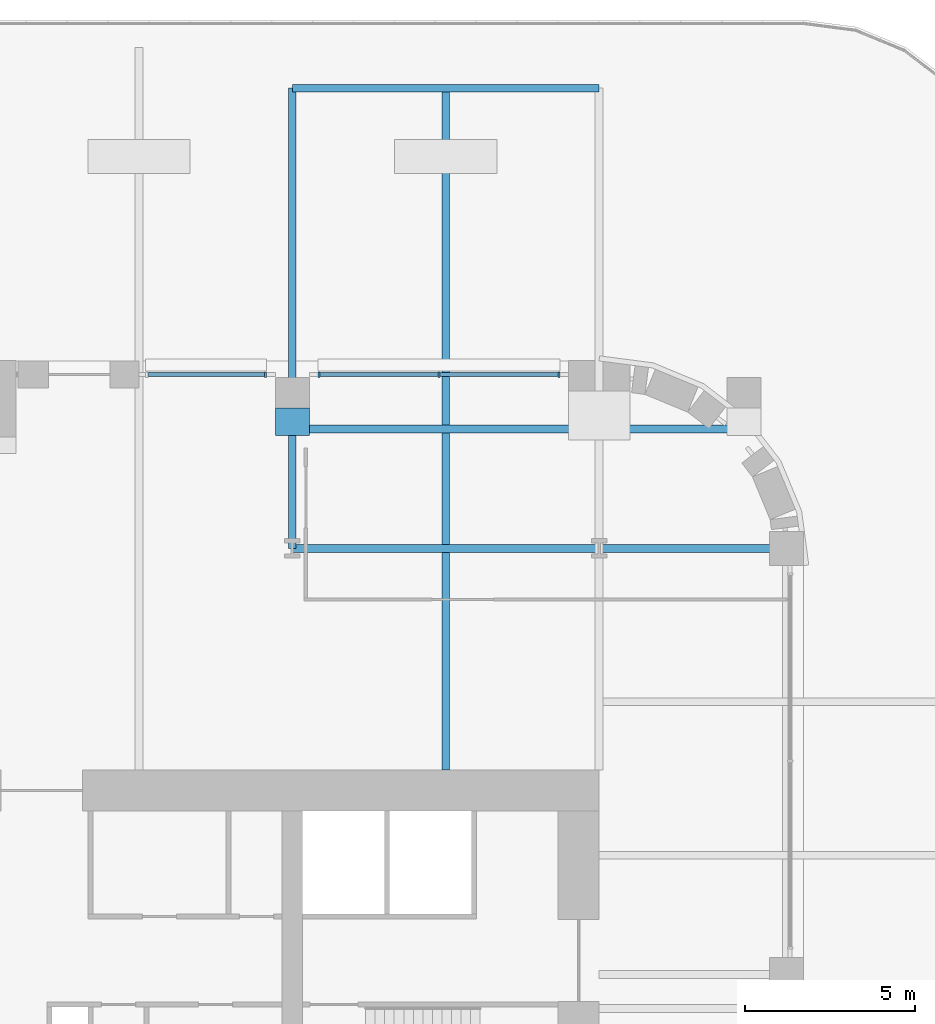
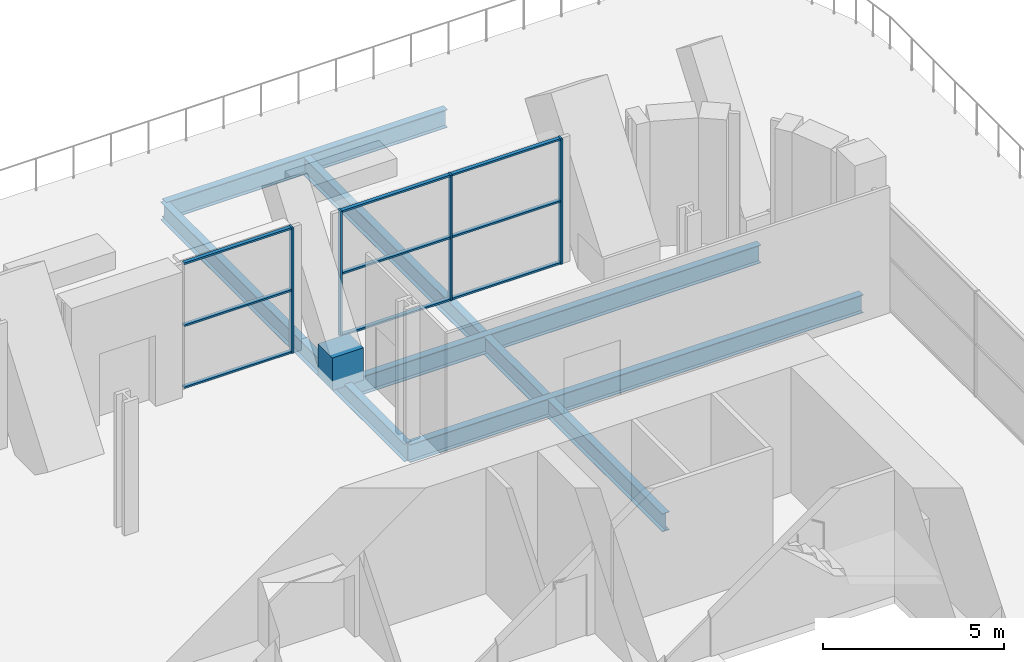
# One storey, part 9 of 26: 13 members, 6 beams, 2 elements without a shape of their own.
"""IFC4 building model written with IfcOpenShell, lengths in metres."""

import ifcopenshell
import ifcopenshell.guid

model = None  # the IFC model being written
_history = None  # IfcOwnerHistory: only IFC2X3 demands one
_inside = {}  # id of a spatial element -> (the spatial element, [elements in it])
_under = {}  # id of a project, library or spatial element -> (it, [spatial elements below it])
_declared = {}  # id of a project -> (the project, [libraries it declares])
_typed = {}  # id of a type object -> (the type object, [elements of that type])
_made_of = {}  # id of a material, layer set ... -> (it, [elements and type objects made of it])


def new_model(schema):
    """Start an empty IFC model of exactly this schema.

    Asked for "IFC4X3", IfcOpenShell would pick the latest addendum, in which some entities
    have other attributes; the version numbers below select the first issue.
    IFC2X3 requires an IfcOwnerHistory on every rooted entity: one is made here for all.
    """
    global model, _history
    if schema == "IFC4X3":
        model = ifcopenshell.file(schema_version=(4, 3, 0, 0))
    else:
        model = ifcopenshell.file(schema=schema)
    _inside.clear()
    _under.clear()
    _declared.clear()
    _typed.clear()
    _made_of.clear()
    _history = None
    if model.schema == "IFC2X3":
        org = make("IfcOrganization", Name="unknown")
        user = make(
            "IfcPersonAndOrganization",
            ThePerson=make("IfcPerson", FamilyName="unknown"),
            TheOrganization=org,
        )
        app = make(
            "IfcApplication",
            ApplicationDeveloper=org,
            Version="unknown",
            ApplicationFullName="unknown",
            ApplicationIdentifier="unknown",
        )
        _history = make(
            "IfcOwnerHistory",
            OwningUser=user,
            OwningApplication=app,
            ChangeAction="ADDED",
            CreationDate=0,
        )
    return model


def make(cls, **values):
    """One entity of the class cls with the attributes given. An attribute that is None is left unset."""
    return model.create_entity(
        cls, **{name: value for name, value in values.items() if value is not None}
    )


def rooted(cls, **values):
    """An entity with a GlobalId (a new one), such as an element, a storey or a relation."""
    return make(cls, GlobalId=ifcopenshell.guid.new(), OwnerHistory=_history, **values)


def si_unit(unit_type, name, prefix=None):
    """IfcSIUnit, for example si_unit("LENGTHUNIT", "METRE", prefix="MILLI")."""
    return make("IfcSIUnit", UnitType=unit_type, Prefix=prefix, Name=name)


def assignment(units):
    """IfcUnitAssignment: the units of a project."""
    return None if units is None else make("IfcUnitAssignment", Units=units)


def point(xyz):
    """IfcCartesianPoint."""
    return None if xyz is None else make("IfcCartesianPoint", Coordinates=xyz)


def direction(xyz):
    """IfcDirection."""
    return None if xyz is None else make("IfcDirection", DirectionRatios=xyz)


def frame(location, z_axis=None, x_axis=None):
    """IfcAxis2Placement3D, a coordinate frame: its origin and axes. An axis left out is left unset."""
    return make(
        "IfcAxis2Placement3D",
        Location=point(location),
        Axis=direction(z_axis),
        RefDirection=direction(x_axis),
    )


def frame_2d(location, x_axis=None):
    """IfcAxis2Placement2D, a coordinate frame in the plane: its origin and x axis."""
    return make(
        "IfcAxis2Placement2D", Location=point(location), RefDirection=direction(x_axis)
    )


def origin():
    """The frame at (0, 0, 0) with its axes left unset."""
    return frame((0.0, 0.0, 0.0))


def origin_2d():
    """The frame at (0, 0) in the plane with its x axis left unset."""
    return frame_2d((0.0, 0.0))


def place(relative_to, where):
    """IfcLocalPlacement: puts the frame where relative to a parent placement (None: the world)."""
    return make(
        "IfcLocalPlacement", PlacementRelTo=relative_to, RelativePlacement=where
    )


def context(
    kind, dimensions, precision=None, world=None, true_north=None, identifier=None
):
    """IfcGeometricRepresentationContext, for example the 3D "Model" context."""
    return make(
        "IfcGeometricRepresentationContext",
        ContextIdentifier=identifier,
        ContextType=kind,
        CoordinateSpaceDimension=dimensions,
        Precision=precision,
        WorldCoordinateSystem=world,
        TrueNorth=true_north,
    )


def subcontext(parent, identifier, kind, view, scale=None):
    """IfcGeometricRepresentationSubContext, for example "Body" below "Model"."""
    return make(
        "IfcGeometricRepresentationSubContext",
        ContextIdentifier=identifier,
        ContextType=kind,
        ParentContext=parent,
        TargetScale=scale,
        TargetView=view,
    )


def project(units=None, contexts=None):
    """IfcProject with its units and contexts."""
    return rooted(
        "IfcProject",
        Name="project",
        RepresentationContexts=contexts,
        UnitsInContext=assignment(units),
    )


def spatial(cls, under=None, at=None, **own):
    """A site, building, storey or space (cls), placed at a placement, below another one or the project."""
    s = rooted(cls, ObjectPlacement=at, **own)
    if under is not None:
        _under.setdefault(under.id(), (under, []))[1].append(s)
    return s


def profile(cls, at=None, kind="AREA", **sizes):
    """A parametric profile (cls). Its sizes go by their IFC names, for example OverallWidth=200.0."""
    return make(cls, ProfileType=kind, Position=at, **sizes)


def rectangle(**sizes):
    """IfcRectangleProfileDef."""
    return profile("IfcRectangleProfileDef", **sizes)


def i_section(**sizes):
    """IfcIShapeProfileDef."""
    return profile("IfcIShapeProfileDef", **sizes)


def extrude(swept, where, along, depth):
    """IfcExtrudedAreaSolid: the profile swept, set in the frame where, extruded along a direction by depth."""
    return make(
        "IfcExtrudedAreaSolid",
        SweptArea=swept,
        Position=where,
        ExtrudedDirection=direction(along),
        Depth=depth,
    )


def shape(context_of_items, identifier, shape_type, items):
    """IfcShapeRepresentation: the items that make up one representation, for example the "Body"."""
    return make(
        "IfcShapeRepresentation",
        ContextOfItems=context_of_items,
        RepresentationIdentifier=identifier,
        RepresentationType=shape_type,
        Items=items,
    )


def material(Name=None, Category=None):
    """IfcMaterial."""
    return make("IfcMaterial", Name=Name, Category=Category)


def material_profile(
    of_material, cross_section, Name=None, Category=None, Priority=None
):
    """IfcMaterialProfile: a cross section and its material."""
    return make(
        "IfcMaterialProfile",
        Name=Name,
        Material=of_material,
        Profile=cross_section,
        Priority=Priority,
        Category=Category,
    )


def profile_set(profiles, Name=None, composite=None):
    """IfcMaterialProfileSet."""
    return make(
        "IfcMaterialProfileSet",
        Name=Name,
        MaterialProfiles=profiles,
        CompositeProfile=composite,
    )


def made_of(thing, what):
    """Note that an element or type object is made of a material, layer set ...; save() writes the relation."""
    if what is not None:
        _made_of.setdefault(what.id(), (what, []))[1].append(thing)
    return thing


def type_object(cls, material=None, **own):
    """A type object (cls), such as IfcWallType, which elements share."""
    return made_of(rooted(cls, **own), material)


def element(
    cls,
    number,
    at=None,
    inside=None,
    cuts=None,
    type_object=None,
    material=None,
    context=None,
    identifier="Body",
    shape_type=None,
    held_by="IfcProductDefinitionShape",
    body=None,
    shapes=None,
    **own,
):
    """One element of the class cls, such as IfcWall. Its Tag is "e" and its number.

    at: its placement. inside: the storey or other place that contains it. cuts: it is an
    opening in that element (IfcRelVoidsElement). A single representation is given by context,
    identifier, shape_type and body (its items); several are given by shapes. held_by: the class
    of the entity that holds the representations. save() writes the other relations.
    """
    e = rooted(cls, Tag="e%d" % number, ObjectPlacement=at, **own)
    if body is not None:
        shapes = [shape(context, identifier, shape_type, body)]
    if shapes is not None:
        e.Representation = make(held_by, Representations=shapes)
    if inside is not None:
        _inside.setdefault(inside.id(), (inside, []))[1].append(e)
    if cuts is not None:
        rooted(
            "IfcRelVoidsElement", RelatingBuildingElement=cuts, RelatedOpeningElement=e
        )
    if type_object is not None:
        _typed.setdefault(type_object.id(), (type_object, []))[1].append(e)
    return made_of(e, material)


def aggregate(whole, parts):
    """IfcRelAggregates: a whole, such as a stair, and the parts it consists of."""
    return rooted("IfcRelAggregates", RelatingObject=whole, RelatedObjects=parts)


def save(model, path):
    """Write the relations noted so far, then the file.

    IfcRelAggregates (storeys below a building ...), IfcRelContainedInSpatialStructure (elements
    in a storey), IfcRelDefinesByType, IfcRelAssociatesMaterial and IfcRelDeclares: one each for
    every whole, place, type object, material and project.
    """
    for whole, parts in _under.values():
        aggregate(whole, parts)
    for where, things in _inside.values():
        rooted(
            "IfcRelContainedInSpatialStructure",
            RelatedElements=things,
            RelatingStructure=where,
        )
    for kind, things in _typed.values():
        rooted("IfcRelDefinesByType", RelatedObjects=things, RelatingType=kind)
    for what, things in _made_of.values():
        rooted("IfcRelAssociatesMaterial", RelatedObjects=things, RelatingMaterial=what)
    for by, libraries in _declared.values():
        rooted("IfcRelDeclares", RelatingContext=by, RelatedDefinitions=libraries)
    model.write(path)


model = new_model("IFC4")

# Units and contexts
model_context = context("Model", 3, precision=1e-05, world=origin(), true_north=direction((0.0, 1.0)))
body_context = subcontext(model_context, "Body", "Model", "MODEL_VIEW")
ifc_project = project(units=[si_unit("LENGTHUNIT", "METRE"), si_unit("AREAUNIT", "SQUARE_METRE"), si_unit("VOLUMEUNIT", "CUBIC_METRE"), si_unit("PLANEANGLEUNIT", "RADIAN"), si_unit("MASSUNIT", "GRAM", prefix="KILO")], contexts=[model_context])

# Site, building, storey
site_placement = place(None, origin())
site = spatial("IfcSite", under=ifc_project, at=site_placement, CompositionType="ELEMENT")
building_placement = place(site_placement, origin())
building = spatial("IfcBuilding", under=site, at=building_placement, Name="Zellij Exchange Tower", CompositionType="ELEMENT")
storey_placement = place(building_placement, frame((0.0, 0.0, 39.0)))
storey = spatial("IfcBuildingStorey", under=building, at=storey_placement, Name="L06", CompositionType="ELEMENT", Elevation=39.0)

# Curtain wall, members
ifc_material_1 = material(Name="Aluminium frame, clear insulating glass", Category="aluminium")
curtain_wall_type = type_object("IfcCurtainWallType", Name="ENV-CW1 Sky-garden glazing", PredefinedType="NOTDEFINED", material=ifc_material_1)
curtain_wall_1_placement = place(storey_placement, origin())
curtain_wall_1 = element("IfcCurtainWall", 1, at=curtain_wall_1_placement, inside=storey, type_object=curtain_wall_type, Name="cw.L06.14a", PredefinedType="NOTDEFINED")
ifc_material_2 = material(Name="Aluminium", Category="aluminium")
ifc_material_profile_1 = material_profile(ifc_material_2, rectangle(XDim=0.06005859375, YDim=0.159912109375, at=origin_2d()), Name="AL 60x160")
ifc_profile_set_1 = profile_set([ifc_material_profile_1], Name="Aluminium")
member_type_1 = type_object("IfcMemberType", Name="ENV-CW1M Mullion 60x160", PredefinedType="MULLION", material=ifc_profile_set_1)
member_1_placement = place(storey_placement, frame((25.820068359375, 9.60009765625, 0.0), z_axis=(0.0, 0.0, 1.0), x_axis=(-1.0, 0.0, 0.0)))
member_1 = element("IfcMember", 2, at=member_1_placement, type_object=member_type_1, Name="CW1 mullion 1", PredefinedType="MULLION", context=body_context, shape_type="SweptSolid", body=[
    extrude(rectangle(XDim=0.06005859375, YDim=0.159912109375, at=origin_2d()), origin(), (0.0, 0.0, 1.0), 4.25),
])
member_2_placement = place(storey_placement, frame((22.300048828125, 9.60009765625, 0.0), z_axis=(0.0, 0.0, 1.0), x_axis=(-1.0, 0.0, 0.0)))
member_2 = element("IfcMember", 3, at=member_2_placement, type_object=member_type_1, Name="CW1 mullion 2", PredefinedType="MULLION", context=body_context, shape_type="SweptSolid", body=[
    extrude(rectangle(XDim=0.06005859375, YDim=0.159912109375, at=origin_2d()), origin(), (0.0, 0.0, 1.0), 4.25),
])
member_3_placement = place(storey_placement, frame((18.780029296875, 9.60009765625, 0.0), z_axis=(0.0, 0.0, 1.0), x_axis=(-1.0, 0.0, 0.0)))
member_3 = element("IfcMember", 4, at=member_3_placement, type_object=member_type_1, Name="CW1 mullion 3", PredefinedType="MULLION", context=body_context, shape_type="SweptSolid", body=[
    extrude(rectangle(XDim=0.06005859375, YDim=0.159912109375, at=origin_2d()), origin(), (0.0, 0.0, 1.0), 4.25),
])

# Curtain wall, member
curtain_wall_2_placement = place(storey_placement, origin())
curtain_wall_2 = element("IfcCurtainWall", 5, at=curtain_wall_2_placement, inside=storey, type_object=curtain_wall_type, Name="cw.L06.14b", PredefinedType="NOTDEFINED")
member_4_placement = place(storey_placement, frame((17.219970703125, 9.60009765625, 0.0), z_axis=(0.0, 0.0, 1.0), x_axis=(-1.0, 0.0, 0.0)))
member_4 = element("IfcMember", 6, at=member_4_placement, type_object=member_type_1, Name="CW1 mullion 1", PredefinedType="MULLION", context=body_context, shape_type="SweptSolid", body=[
    extrude(rectangle(XDim=0.06005859375, YDim=0.159912109375, at=origin_2d()), origin(), (0.0, 0.0, 1.0), 4.25),
])

# Member
ifc_material_profile_2 = material_profile(ifc_material_2, rectangle(XDim=0.1201171875, YDim=0.06005859375, at=origin_2d()), Name="AL 120x60")
ifc_profile_set_2 = profile_set([ifc_material_profile_2], Name="Aluminium")
member_type_2 = type_object("IfcMemberType", Name="ENV-CW1T Transom 120x60", PredefinedType="USERDEFINED", material=ifc_profile_set_2)
member_5_placement = place(storey_placement, frame((25.7900390625, 9.60009765625, 0.030029296875), z_axis=(-1.0, 0.0, 0.0), x_axis=(0.0, -1.0, 0.0)))
member_5 = element("IfcMember", 7, at=member_5_placement, type_object=member_type_2, Name="CW1 transom 1.1", ObjectType="TRANSOM", PredefinedType="USERDEFINED", context=body_context, shape_type="SweptSolid", body=[
    extrude(rectangle(XDim=0.1201171875, YDim=0.06005859375, at=origin_2d()), origin(), (0.0, 0.0, 1.0), 3.4599609375),
])

member_6_placement = place(storey_placement, frame((25.7900390625, 9.60009765625, 2.125), z_axis=(-1.0, 0.0, 0.0), x_axis=(0.0, -1.0, 0.0)))
member_6 = element("IfcMember", 8, at=member_6_placement, type_object=member_type_2, Name="CW1 transom 1.2", ObjectType="TRANSOM", PredefinedType="USERDEFINED", context=body_context, shape_type="SweptSolid", body=[
    extrude(rectangle(XDim=0.1201171875, YDim=0.06005859375, at=origin_2d()), origin(), (0.0, 0.0, 1.0), 3.4599609375),
])

member_7_placement = place(storey_placement, frame((25.7900390625, 9.60009765625, 4.219970703125), z_axis=(-1.0, 0.0, 0.0), x_axis=(0.0, -1.0, 0.0)))
member_7 = element("IfcMember", 9, at=member_7_placement, type_object=member_type_2, Name="CW1 transom 1.3", ObjectType="TRANSOM", PredefinedType="USERDEFINED", context=body_context, shape_type="SweptSolid", body=[
    extrude(rectangle(XDim=0.1201171875, YDim=0.06005859375, at=origin_2d()), origin(), (0.0, 0.0, 1.0), 3.4599609375),
])

member_8_placement = place(storey_placement, frame((22.27001953125, 9.60009765625, 0.030029296875), z_axis=(-1.0, 0.0, 0.0), x_axis=(0.0, -1.0, 0.0)))
member_8 = element("IfcMember", 10, at=member_8_placement, type_object=member_type_2, Name="CW1 transom 2.1", ObjectType="TRANSOM", PredefinedType="USERDEFINED", context=body_context, shape_type="SweptSolid", body=[
    extrude(rectangle(XDim=0.1201171875, YDim=0.06005859375, at=origin_2d()), origin(), (0.0, 0.0, 1.0), 3.4599609375),
])

member_9_placement = place(storey_placement, frame((22.27001953125, 9.60009765625, 2.125), z_axis=(-1.0, 0.0, 0.0), x_axis=(0.0, -1.0, 0.0)))
member_9 = element("IfcMember", 11, at=member_9_placement, type_object=member_type_2, Name="CW1 transom 2.2", ObjectType="TRANSOM", PredefinedType="USERDEFINED", context=body_context, shape_type="SweptSolid", body=[
    extrude(rectangle(XDim=0.1201171875, YDim=0.06005859375, at=origin_2d()), origin(), (0.0, 0.0, 1.0), 3.4599609375),
])

member_10_placement = place(storey_placement, frame((22.27001953125, 9.60009765625, 4.219970703125), z_axis=(-1.0, 0.0, 0.0), x_axis=(0.0, -1.0, 0.0)))
member_10 = element("IfcMember", 12, at=member_10_placement, type_object=member_type_2, Name="CW1 transom 2.3", ObjectType="TRANSOM", PredefinedType="USERDEFINED", context=body_context, shape_type="SweptSolid", body=[
    extrude(rectangle(XDim=0.1201171875, YDim=0.06005859375, at=origin_2d()), origin(), (0.0, 0.0, 1.0), 3.4599609375),
])

aggregate(curtain_wall_1, [member_1, member_2, member_3, member_5, member_6, member_7, member_8, member_9, member_10])

member_11_placement = place(storey_placement, frame((17.18994140625, 9.60009765625, 0.030029296875), z_axis=(-1.0, 0.0, 0.0), x_axis=(0.0, -1.0, 0.0)))
member_11 = element("IfcMember", 13, at=member_11_placement, type_object=member_type_2, Name="CW1 transom 1.1", ObjectType="TRANSOM", PredefinedType="USERDEFINED", context=body_context, shape_type="SweptSolid", body=[
    extrude(rectangle(XDim=0.1201171875, YDim=0.06005859375, at=origin_2d()), origin(), (0.0, 0.0, 1.0), 3.429931640625),
])

member_12_placement = place(storey_placement, frame((17.18994140625, 9.60009765625, 2.125), z_axis=(-1.0, 0.0, 0.0), x_axis=(0.0, -1.0, 0.0)))
member_12 = element("IfcMember", 14, at=member_12_placement, type_object=member_type_2, Name="CW1 transom 1.2", ObjectType="TRANSOM", PredefinedType="USERDEFINED", context=body_context, shape_type="SweptSolid", body=[
    extrude(rectangle(XDim=0.1201171875, YDim=0.06005859375, at=origin_2d()), origin(), (0.0, 0.0, 1.0), 3.429931640625),
])

member_13_placement = place(storey_placement, frame((17.18994140625, 9.60009765625, 4.219970703125), z_axis=(-1.0, 0.0, 0.0), x_axis=(0.0, -1.0, 0.0)))
member_13 = element("IfcMember", 15, at=member_13_placement, type_object=member_type_2, Name="CW1 transom 1.3", ObjectType="TRANSOM", PredefinedType="USERDEFINED", context=body_context, shape_type="SweptSolid", body=[
    extrude(rectangle(XDim=0.1201171875, YDim=0.06005859375, at=origin_2d()), origin(), (0.0, 0.0, 1.0), 3.429931640625),
])

aggregate(curtain_wall_2, [member_4, member_11, member_12, member_13])

# Beams
ifc_material_3 = material(Name="Structural steel ASTM A992 Gr 50", Category="steel")
ifc_material_profile_3 = material_profile(ifc_material_3, i_section(OverallWidth=0.22900390625, OverallDepth=0.612060546875, WebThickness=0.011962890625, FlangeThickness=0.01953125, at=origin_2d()), Name="W24x84")
ifc_profile_set_3 = profile_set([ifc_material_profile_3], Name="Structural steel ASTM A992 Gr 50")
beam_type_1 = type_object("IfcBeamType", Name="STR-BEAM W24x84", PredefinedType="BEAM", material=ifc_profile_set_3)
beam_1_placement = place(storey_placement, frame((22.5, -2.0, -0.55615234375), z_axis=(0.0, 1.0, 0.0), x_axis=(-1.0, 0.0, 0.0)))
element("IfcBeam", 16, at=beam_1_placement, inside=storey, type_object=beam_type_1, Name="B6", PredefinedType="BEAM", context=body_context, shape_type="SweptSolid", body=[
    extrude(i_section(OverallWidth=0.22900390625, OverallDepth=0.612060546875, WebThickness=0.011962890625, FlangeThickness=0.01953125, at=origin_2d()), origin(), (0.0, 0.0, 1.0), 20.114501953125),
])
ifc_material_profile_4 = material_profile(ifc_material_3, i_section(OverallWidth=0.22900390625, OverallDepth=0.612060546875, WebThickness=0.011962890625, FlangeThickness=0.01953125, at=origin_2d()), Name="W24x84")
ifc_profile_set_4 = profile_set([ifc_material_profile_4], Name="Structural steel ASTM A992 Gr 50")
beam_type_2 = type_object("IfcBeamType", Name="STR-GIRDER W24x84", PredefinedType="BEAM", material=ifc_profile_set_4)
beam_2_placement = place(storey_placement, frame((18.0, 4.5, -0.55615234375), z_axis=(1.0, 0.0, 0.0), x_axis=(0.0, 1.0, 0.0)))
element("IfcBeam", 17, at=beam_2_placement, inside=storey, type_object=beam_type_2, Name="G4", PredefinedType="BEAM", context=body_context, shape_type="SweptSolid", body=[
    extrude(i_section(OverallWidth=0.22900390625, OverallDepth=0.612060546875, WebThickness=0.011962890625, FlangeThickness=0.01953125, at=origin_2d()), origin(), (0.0, 0.0, 1.0), 14.5),
])
beam_3_placement = place(storey_placement, frame((18.0, 8.0, -0.55615234375), z_axis=(1.0, 0.0, 0.0), x_axis=(0.0, 1.0, 0.0)))
element("IfcBeam", 18, at=beam_3_placement, inside=storey, type_object=beam_type_2, Name="G4", PredefinedType="BEAM", context=body_context, shape_type="SweptSolid", body=[
    extrude(i_section(OverallWidth=0.22900390625, OverallDepth=0.612060546875, WebThickness=0.011962890625, FlangeThickness=0.01953125, at=origin_2d()), origin(), (0.0, 0.0, 1.0), 13.25),
])
beam_4_placement = place(storey_placement, frame((18.0, 18.0, -0.55615234375), z_axis=(1.0, 0.0, 0.0), x_axis=(0.0, 1.0, 0.0)))
element("IfcBeam", 19, at=beam_4_placement, inside=storey, type_object=beam_type_2, Name="G4", PredefinedType="BEAM", context=body_context, shape_type="SweptSolid", body=[
    extrude(i_section(OverallWidth=0.22900390625, OverallDepth=0.612060546875, WebThickness=0.011962890625, FlangeThickness=0.01953125, at=origin_2d()), origin(), (0.0, 0.0, 1.0), 9.0),
])
beam_5_placement = place(storey_placement, frame((18.0, 4.5, -0.55615234375), z_axis=(0.0, 1.0, 0.0), x_axis=(-1.0, 0.0, 0.0)))
element("IfcBeam", 20, at=beam_5_placement, inside=storey, type_object=beam_type_2, Name="G4", PredefinedType="BEAM", context=body_context, shape_type="SweptSolid", body=[
    extrude(i_section(OverallWidth=0.22900390625, OverallDepth=0.612060546875, WebThickness=0.011962890625, FlangeThickness=0.01953125, at=origin_2d()), origin(), (0.0, 0.0, 1.0), 13.5),
])
ifc_material_4 = material(Name="Concrete C70/85", Category="concrete")
ifc_material_profile_5 = material_profile(ifc_material_4, rectangle(XDim=1.0, YDim=1.10009765625, at=origin_2d()), Name="STR-KNUCKLE BLOCK RC1000x1100 C70/85")
ifc_profile_set_5 = profile_set([ifc_material_profile_5], Name="Concrete C70/85")
beam_type_3 = type_object("IfcBeamType", Name="STR-KNUCKLE BLOCK RC1000x1100 C70/85", PredefinedType="BEAM", material=ifc_profile_set_5)
beam_6_placement = place(storey_placement, frame((18.0, 7.818603515625, 0.22509765625), z_axis=(0.0, 1.0, 0.0), x_axis=(-1.0, 0.0, 0.0)))
element("IfcBeam", 21, at=beam_6_placement, inside=storey, type_object=beam_type_3, Name="KB4", PredefinedType="BEAM", context=body_context, shape_type="SweptSolid", body=[
    extrude(rectangle(XDim=1.0, YDim=1.10009765625, at=origin_2d()), origin(), (0.0, 0.0, 1.0), 0.8037109375),
])

save(model, "model.ifc")
